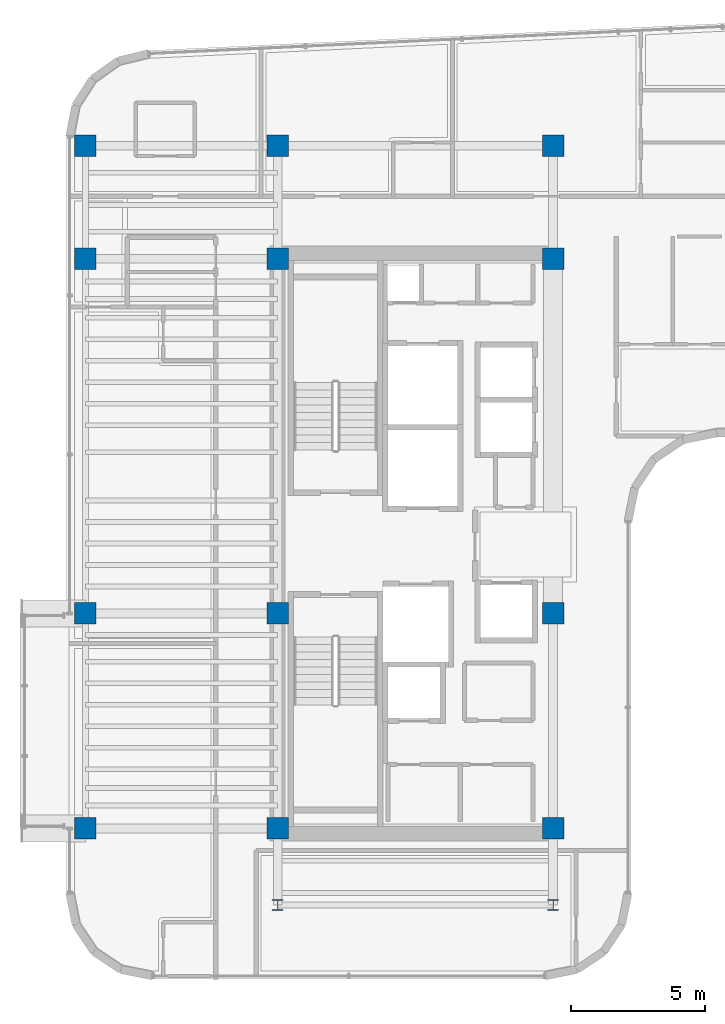
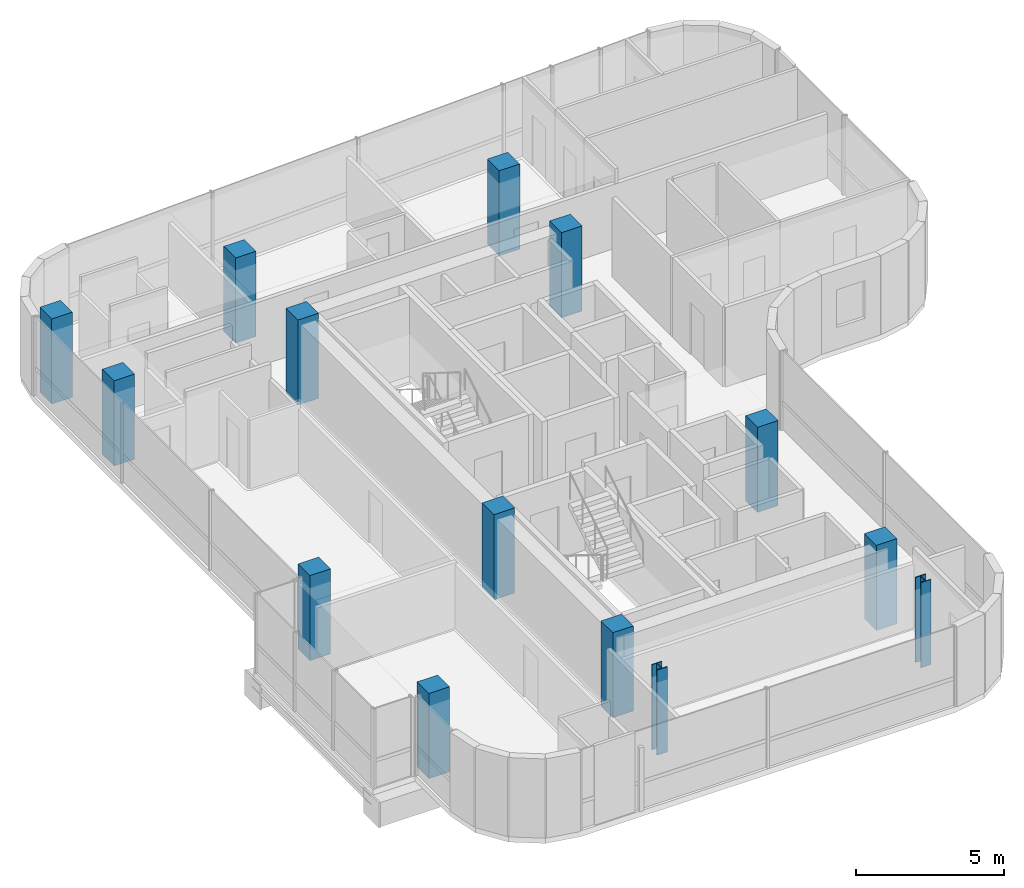
# One storey, part 1 of 19: 14 columns.
"""IFC4 building model written with IfcOpenShell, lengths in metres."""

from ifc_helpers import new_model, si_unit, direction, frame, origin, origin_2d, place, context, subcontext, project, spatial, rectangle, i_section, extrude, source, transform, mapped, material, material_profile, profile_set, type_object, element, save


model = new_model("IFC4")

# Units and contexts
model_context = context("Model", 3, precision=1e-05, world=origin(), true_north=direction((0.0, 1.0)))
body_context = subcontext(model_context, "Body", "Model", "MODEL_VIEW")
ifc_project = project(units=[si_unit("LENGTHUNIT", "METRE"), si_unit("AREAUNIT", "SQUARE_METRE"), si_unit("VOLUMEUNIT", "CUBIC_METRE"), si_unit("PLANEANGLEUNIT", "RADIAN"), si_unit("MASSUNIT", "GRAM", prefix="KILO")], contexts=[model_context])

# Site, building, storey
site_placement = place(None, origin())
site = spatial("IfcSite", under=ifc_project, at=site_placement, CompositionType="ELEMENT")
building_placement = place(site_placement, origin())
building = spatial("IfcBuilding", under=site, at=building_placement, Name="Valdorenza Pilgrim Sanctuary Tower", CompositionType="ELEMENT")
storey_placement = place(building_placement, frame((0.0, 0.0, 266.0)))
storey = spatial("IfcBuildingStorey", under=building, at=storey_placement, Name="L69", CompositionType="ELEMENT", Elevation=266.0)

# Columns
ifc_material_1 = material(Name="Concrete C50/60", Category="concrete")
ifc_material_profile_1 = material_profile(ifc_material_1, rectangle(XDim=0.800048828125, YDim=0.800048828125, at=origin_2d()), Name="RC 800x800")
ifc_profile_set_1 = profile_set([ifc_material_profile_1], Name="Concrete C50/60")
column_type_1 = type_object("IfcColumnType", Name="COL-Z4B-800", PredefinedType="COLUMN", material=ifc_profile_set_1)
shared_shape_1 = source(origin(), body_context, "Body", "SweptSolid", [
    extrude(rectangle(XDim=0.800048828125, YDim=0.800048828125, at=origin_2d()), origin(), (0.0, 0.0, 1.0), 3.5),
])
for number, where, z_axis, x_axis, name in (
    (1, (-29.800048828125, -10.60009765625, 0.0), (0.0, 0.0, 1.0), (1.0, 0.0, 0.0), "L69 Perimeter Column WA-W-S1"),
    (2, (-22.64990234375, -10.60009765625, 0.0), (0.0, 0.0, 1.0), (1.0, 0.0, 0.0), "L69 Column CA-W-S1"),
    (3, (-12.39990234375, -10.60009765625, 0.0), (0.0, 0.0, 1.0), (1.0, 0.0, 0.0), "L69 Column CA-E-S1"),
    (4, (-29.800048828125, -2.60009765625, 0.0), (0.0, 0.0, 1.0), (1.0, 0.0, 0.0), "L69 Perimeter Column WA-W-M0"),
    (5, (-22.64990234375, -2.60009765625, 0.0), (0.0, 0.0, 1.0), (1.0, 0.0, 0.0), "L69 Column CA-W-M0"),
    (6, (-12.39990234375, -2.60009765625, 0.0), (0.0, 0.0, 1.0), (1.0, 0.0, 0.0), "L69 Column CA-E-M0"),
    (7, (-29.800048828125, 10.60009765625, 0.0), (0.0, 0.0, 1.0), (1.0, 0.0, 0.0), "L69 Perimeter Column WA-W-N1"),
    (8, (-22.64990234375, 10.60009765625, 0.0), (0.0, 0.0, 1.0), (1.0, 0.0, 0.0), "L69 Column CA-W-N1"),
    (9, (-12.39990234375, 10.60009765625, 0.0), (0.0, 0.0, 1.0), (1.0, 0.0, 0.0), "L69 Column CA-E-N1"),
    (10, (-29.800048828125, 14.800048828125, 0.0), (0.0, 0.0, 1.0), (1.0, 0.0, 0.0), "L69 Perimeter Column WA-W-N2"),
    (11, (-22.64990234375, 14.800048828125, 0.0), (0.0, 0.0, 1.0), (1.0, 0.0, 0.0), "L69 Column CA-W-N2"),
    (12, (-12.39990234375, 14.800048828125, 0.0), (0.0, 0.0, 1.0), (1.0, 0.0, 0.0), "L69 Column CA-E-N2"),
):
    element("IfcColumn", number, at=place(storey_placement, frame(where, z_axis=z_axis, x_axis=x_axis)), inside=storey, type_object=column_type_1, Name=name, PredefinedType="COLUMN", context=body_context, shape_type="MappedRepresentation", body=[
        mapped(shared_shape_1, transform((0.0, 0.0, 0.0), x_axis=(1.0, 0.0, 0.0), y_axis=(0.0, 1.0, 0.0), z_axis=(0.0, 0.0, 1.0), scale=1.0)),
    ])
ifc_material_2 = material(Name="Steel ASTM A992 Grade 50", Category="steel")
ifc_material_profile_2 = material_profile(ifc_material_2, i_section(OverallWidth=0.40087890625, OverallDepth=0.39892578125, WebThickness=0.02490234375, FlangeThickness=0.03955078125, at=origin_2d()), Name="W14X211")
ifc_profile_set_2 = profile_set([ifc_material_profile_2], Name="Steel ASTM A992 Grade 50")
column_type_2 = type_object("IfcColumnType", Name="COL-STL-W211", PredefinedType="COLUMN", material=ifc_profile_set_2)
shared_shape_2 = source(origin(), body_context, "Body", "SweptSolid", [
    extrude(i_section(OverallWidth=0.40087890625, OverallDepth=0.39892578125, WebThickness=0.02490234375, FlangeThickness=0.03955078125, at=origin_2d()), origin(), (0.0, 0.0, 1.0), 3.5),
])
for number, where, z_axis, x_axis, name in (
    (13, (-22.64990234375, -13.449951171875, 0.0), (0.0, 0.0, 1.0), (1.0, 0.0, 0.0), "L69 Column WA-S-W"),
    (14, (-12.39990234375, -13.449951171875, 0.0), (0.0, 0.0, 1.0), (1.0, 0.0, 0.0), "L69 Column WA-S-E"),
):
    element("IfcColumn", number, at=place(storey_placement, frame(where, z_axis=z_axis, x_axis=x_axis)), inside=storey, type_object=column_type_2, Name=name, PredefinedType="COLUMN", context=body_context, shape_type="MappedRepresentation", body=[
        mapped(shared_shape_2, transform((0.0, 0.0, 0.0), x_axis=(1.0, 0.0, 0.0), y_axis=(0.0, 1.0, 0.0), z_axis=(0.0, 0.0, 1.0), scale=1.0)),
    ])

save(model, "model.ifc")
